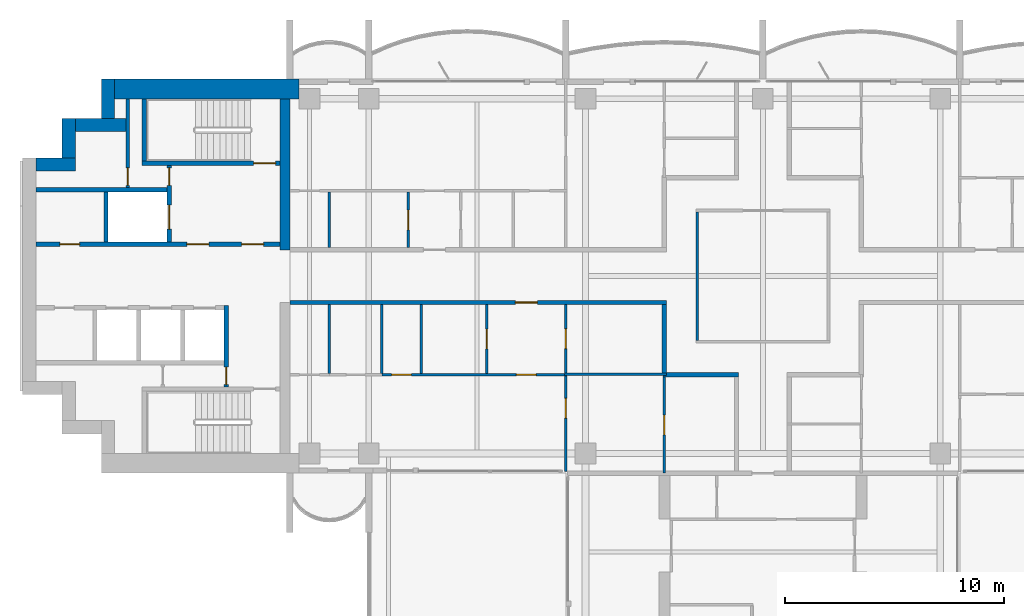
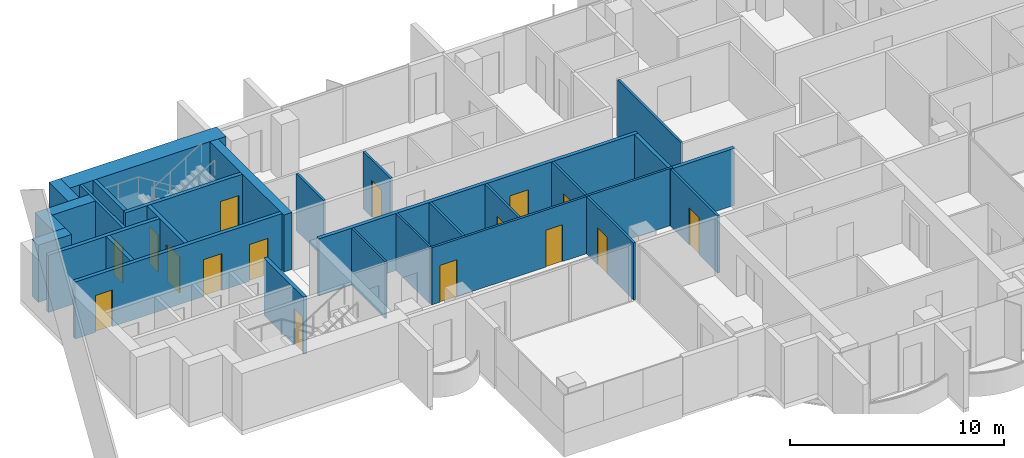
# One storey, part 9 of 18: 29 walls, 16 doors, 16 openings.
"""IFC4 building model written with IfcOpenShell, lengths in metres."""

from ifc_helpers import new_model, si_unit, direction, frame, frame_2d, origin, place, context, subcontext, project, spatial, rectangle, extrude, material, layer, layer_set, type_object, element, fill, save


model = new_model("IFC4")

# Units and contexts
model_context = context("Model", 3, precision=1e-05, world=origin(), true_north=direction((0.0, 1.0)))
body_context = subcontext(model_context, "Body", "Model", "MODEL_VIEW")
ifc_project = project(units=[si_unit("LENGTHUNIT", "METRE"), si_unit("AREAUNIT", "SQUARE_METRE"), si_unit("VOLUMEUNIT", "CUBIC_METRE"), si_unit("PLANEANGLEUNIT", "RADIAN"), si_unit("MASSUNIT", "GRAM", prefix="KILO")], contexts=[model_context])

# Site, building, storey
site_placement = place(None, origin())
site = spatial("IfcSite", under=ifc_project, at=site_placement, CompositionType="ELEMENT")
building_placement = place(site_placement, origin())
building = spatial("IfcBuilding", under=site, at=building_placement, Name="Perihelion Cross Residences", CompositionType="ELEMENT")
storey_placement = place(building_placement, frame((0.0, 0.0, 215.60009765625)))
storey = spatial("IfcBuildingStorey", under=building, at=storey_placement, Name="L54", CompositionType="ELEMENT", Elevation=215.60009765625)

# Wall, opening, door
ifc_material_1 = material(Name="Plasterboard partition")
ifc_layer_1 = layer(ifc_material_1, 0.199951171875)
ifc_layer_set_1 = layer_set([ifc_layer_1], Name="Apartment separation wall 200")
wall_type_1 = type_object("IfcWallType", Name="Apartment separation wall 200", PredefinedType="PARTITIONING", material=ifc_layer_set_1)
wall_1_placement = place(storey_placement, frame((-4.39990234375, -1.199951171875, 0.0), z_axis=(0.0, 0.0, 1.0), x_axis=(-1.0, 0.0, 0.0)))
wall_1 = element("IfcWall", 1, at=wall_1_placement, inside=storey, type_object=wall_type_1, Name="Partition L54 W017", PredefinedType="PARTITIONING", context=body_context, shape_type="SweptSolid", body=[
    extrude(rectangle(XDim=17.2001953125, YDim=0.199951171875, at=frame_2d((8.60009765625, 0.0))), origin(), (0.0, 0.0, 1.0), 3.25),
])
opening_1_placement = place(wall_1_placement, frame((5.89990234375, 0.0, 0.0)))
opening_1 = element("IfcOpeningElement", 2, at=opening_1_placement, cuts=wall_1, Name="Opening L54.A44", PredefinedType="OPENING", context=body_context, shape_type="SweptSolid", body=[
    extrude(rectangle(XDim=1.0, YDim=2.10009765625, at=frame_2d((0.5, 1.050048828125))), frame((0.0, 0.10986328125, 0.0), z_axis=(0.0, -1.0, 0.0), x_axis=(1.0, 0.0, 0.0)), (0.0, 0.0, 1.0), 0.219970703125),
])
ifc_material_2 = material(Name="Timber door leaf", Category="wood")
door_type_1 = type_object("IfcDoorType", Name="Flat entrance door 1000 x 2100", OperationType="SINGLE_SWING_LEFT", PredefinedType="DOOR", material=ifc_material_2)
door_1_placement = place(opening_1_placement, origin())
door_1 = element("IfcDoor", 3, at=door_1_placement, inside=storey, type_object=door_type_1, Name="Door L54.A44", OperationType="SINGLE_SWING_LEFT", OverallHeight=2.10009765625, OverallWidth=1.0, PredefinedType="DOOR", context=body_context, shape_type="SweptSolid", body=[
    extrude(rectangle(XDim=1.0, YDim=2.10009765625, at=frame_2d((0.5, 1.050048828125))), frame((0.0, 0.02490234375, 0.0), z_axis=(0.0, -1.0, 0.0), x_axis=(1.0, 0.0, 0.0)), (0.0, 0.0, 1.0), 0.050048828125),
])
fill(opening_1, door_1)

# Walls
wall_2_placement = place(storey_placement, frame((-4.5, -4.416015625, 0.0), z_axis=(0.0, 0.0, 1.0), x_axis=(0.0, 1.0, 0.0)))
element("IfcWall", 4, at=wall_2_placement, inside=storey, type_object=wall_type_1, Name="Partition L54 W018", PredefinedType="PARTITIONING", context=body_context, shape_type="SweptSolid", body=[
    extrude(rectangle(XDim=3.115966796875, YDim=0.199951171875, at=frame_2d((1.55810546875, 0.0))), origin(), (0.0, 0.0, 1.0), 3.25),
])
wall_3_placement = place(storey_placement, frame((-1.10009765625, -4.5, 0.0), z_axis=(0.0, 0.0, 1.0), x_axis=(-1.0, 0.0, 0.0)))
element("IfcWall", 5, at=wall_3_placement, inside=storey, type_object=wall_type_1, Name="Partition L54 W020", PredefinedType="PARTITIONING", context=body_context, shape_type="SweptSolid", body=[
    extrude(rectangle(XDim=3.4599609375, YDim=0.199951171875, at=frame_2d((1.72998046875, 0.0))), origin(), (0.0, 0.0, 1.0), 3.25),
])
ifc_material_3 = material(Name="Concrete C60/75", Category="concrete")
ifc_layer_2 = layer(ifc_material_3, 0.449951171875)
ifc_layer_set_2 = layer_set([ifc_layer_2], Name="Core wall, inner 450")
wall_type_2 = type_object("IfcWallType", Name="Core wall, inner 450", PredefinedType="SHEAR", material=ifc_layer_set_2)
wall_4_placement = place(storey_placement, frame((-21.824951171875, 1.199951171875, 0.0), z_axis=(0.0, 0.0, 1.0), x_axis=(0.0, 1.0, 0.0)))
element("IfcWall", 6, at=wall_4_placement, inside=storey, type_object=wall_type_2, Name="West core core wall, inner", PredefinedType="SHEAR", context=body_context, shape_type="SweptSolid", body=[
    extrude(rectangle(XDim=6.900146484375, YDim=0.449951171875, at=frame_2d((3.4501953125, 0.0))), origin(), (0.0, 0.0, 1.0), 3.25),
])
ifc_material_4 = material(Name="Concrete C60/75", Category="concrete")
ifc_layer_3 = layer(ifc_material_4, 0.60009765625)
ifc_layer_set_3 = layer_set([ifc_layer_3], Name="Core wall, outer 600")
wall_type_3 = type_object("IfcWallType", Name="Core wall, outer 600", PredefinedType="SHEAR", material=ifc_layer_set_3)
for number, where, z_axis, x_axis, name in (
    (7, (-33.199951171875, 5.10009765625, 0.0), (0.0, 0.0, 1.0), (1.0, 0.0, 0.0), "West core core wall, outer"),
    (8, (-31.699951171875, 5.39990234375, 0.0), (0.0, 0.0, 1.0), (0.0, 1.0, 0.0), "West core core wall, outer"),
):
    element("IfcWall", number, at=place(storey_placement, frame(where, z_axis=z_axis, x_axis=x_axis)), inside=storey, type_object=wall_type_3, Name=name, PredefinedType="SHEAR", context=body_context, shape_type="SweptSolid", body=[
        extrude(rectangle(XDim=1.800048828125, YDim=0.60009765625, at=frame_2d((0.89990234375, 0.0))), origin(), (0.0, 0.0, 1.0), 3.25),
    ])
wall_5_placement = place(storey_placement, frame((-31.39990234375, 6.89990234375, 0.0), z_axis=(0.0, 0.0, 1.0), x_axis=(1.0, 0.0, 0.0)))
element("IfcWall", 9, at=wall_5_placement, inside=storey, type_object=wall_type_3, Name="West core core wall, outer", PredefinedType="SHEAR", context=body_context, shape_type="SweptSolid", body=[
    extrude(rectangle(XDim=2.324951171875, YDim=0.60009765625, at=frame_2d((1.16259765625, 0.0))), origin(), (0.0, 0.0, 1.0), 3.25),
])
wall_6_placement = place(storey_placement, frame((-29.89990234375, 7.199951171875, 0.0), z_axis=(0.0, 0.0, 1.0), x_axis=(0.0, 1.0, 0.0)))
element("IfcWall", 10, at=wall_6_placement, inside=storey, type_object=wall_type_3, Name="West core core wall, outer", PredefinedType="SHEAR", context=body_context, shape_type="SweptSolid", body=[
    extrude(rectangle(XDim=1.800048828125, YDim=0.60009765625, at=frame_2d((0.89990234375, 0.0))), origin(), (0.0, 0.0, 1.0), 3.25),
])
ifc_material_5 = material(Name="Concrete C60/75", Category="concrete")
ifc_layer_4 = layer(ifc_material_5, 0.89990234375)
ifc_layer_set_4 = layer_set([ifc_layer_4], Name="Core wall, outer 900")
wall_type_4 = type_object("IfcWallType", Name="Core wall, outer 900", PredefinedType="SHEAR", material=ifc_layer_set_4)
wall_7_placement = place(storey_placement, frame((-29.60009765625, 8.550048828125, 0.0), z_axis=(0.0, 0.0, 1.0), x_axis=(1.0, 0.0, 0.0)))
element("IfcWall", 11, at=wall_7_placement, inside=storey, type_object=wall_type_4, Name="West core core wall, outer", PredefinedType="SHEAR", context=body_context, shape_type="SweptSolid", body=[
    extrude(rectangle(XDim=8.425048828125, YDim=0.89990234375, at=frame_2d((4.21240234375, 0.0))), origin(), (0.0, 0.0, 1.0), 3.25),
])

# Wall, opening, door
ifc_material_6 = material(Name="Concrete C50/60", Category="concrete")
ifc_layer_5 = layer(ifc_material_6, 0.199951171875)
ifc_layer_set_5 = layer_set([ifc_layer_5], Name="Lobby wall 200")
wall_type_5 = type_object("IfcWallType", Name="Lobby wall 200", PredefinedType="SOLIDWALL", material=ifc_layer_set_5)
wall_8_placement = place(storey_placement, frame((-24.5, -5.050048828125, 0.0), z_axis=(0.0, 0.0, 1.0), x_axis=(0.0, 1.0, 0.0)))
wall_8 = element("IfcWall", 12, at=wall_8_placement, inside=storey, type_object=wall_type_5, Name="West core lobby wall", PredefinedType="SOLIDWALL", context=body_context, shape_type="SweptSolid", body=[
    extrude(rectangle(XDim=3.699951171875, YDim=0.199951171875, at=frame_2d((1.85009765625, 0.0))), origin(), (0.0, 0.0, 1.0), 3.25),
])
opening_2_placement = place(wall_8_placement, frame((0.10009765625, 0.0, 0.0)))
opening_2 = element("IfcOpeningElement", 13, at=opening_2_placement, cuts=wall_8, Name="Opening L54.C22", PredefinedType="OPENING", context=body_context, shape_type="SweptSolid", body=[
    extrude(rectangle(XDim=0.800048828125, YDim=2.10009765625, at=frame_2d((0.39990234375, 1.050048828125))), frame((0.0, 0.10986328125, 0.0), z_axis=(0.0, -1.0, 0.0), x_axis=(1.0, 0.0, 0.0)), (0.0, 0.0, 1.0), 0.219970703125),
])
ifc_material_7 = material(Name="Steel, powder coated", Category="steel")
door_type_2 = type_object("IfcDoorType", Name="Riser door 800", OperationType="SINGLE_SWING_LEFT", PredefinedType="DOOR", material=ifc_material_7)
door_2_placement = place(opening_2_placement, origin())
door_2 = element("IfcDoor", 14, at=door_2_placement, inside=storey, type_object=door_type_2, Name="West core riser door", OperationType="SINGLE_SWING_LEFT", OverallHeight=2.10009765625, OverallWidth=0.800048828125, PredefinedType="DOOR", context=body_context, shape_type="SweptSolid", body=[
    extrude(rectangle(XDim=0.800048828125, YDim=2.10009765625, at=frame_2d((0.39990234375, 1.050048828125))), frame((0.0, 0.02490234375, 0.0), z_axis=(0.0, -1.0, 0.0), x_axis=(1.0, 0.0, 0.0)), (0.0, 0.0, 1.0), 0.050048828125),
])
fill(opening_2, door_2)

# Wall
ifc_material_8 = material(Name="Plasterboard partition")
ifc_layer_6 = layer(ifc_material_8, 0.1201171875)
ifc_layer_set_6 = layer_set([ifc_layer_6], Name="Partition wall 120")
wall_type_6 = type_object("IfcWallType", Name="Partition wall 120", PredefinedType="PARTITIONING", material=ifc_layer_set_6)
wall_9_placement = place(storey_placement, frame((-3.0, 2.93994140625, 0.0), z_axis=(0.0, 0.0, 1.0), x_axis=(0.0, -1.0, 0.0)))
element("IfcWall", 15, at=wall_9_placement, inside=storey, type_object=wall_type_6, Name="Partition L54 W004", PredefinedType="PARTITIONING", context=body_context, shape_type="SweptSolid", body=[
    extrude(rectangle(XDim=5.8798828125, YDim=0.1201171875, at=frame_2d((2.93994140625, 0.0))), origin(), (0.0, 0.0, 1.0), 3.25),
])

# Wall, opening, door
wall_10_placement = place(storey_placement, frame((-16.199951171875, 1.300048828125, 0.0), z_axis=(0.0, 0.0, 1.0), x_axis=(0.0, 1.0, 0.0)))
wall_10 = element("IfcWall", 16, at=wall_10_placement, inside=storey, type_object=wall_type_6, Name="Partition L54 W052", PredefinedType="PARTITIONING", context=body_context, shape_type="SweptSolid", body=[
    extrude(rectangle(XDim=2.5400390625, YDim=0.1201171875, at=frame_2d((1.27001953125, 0.0))), origin(), (0.0, 0.0, 1.0), 3.25),
])
opening_3_placement = place(wall_10_placement, frame((0.820068359375, 0.0, 0.0)))
opening_3 = element("IfcOpeningElement", 17, at=opening_3_placement, cuts=wall_10, Name="Opening L54.A20", PredefinedType="OPENING", context=body_context, shape_type="SweptSolid", body=[
    extrude(rectangle(XDim=0.89990234375, YDim=2.10009765625, at=frame_2d((0.449951171875, 1.050048828125))), frame((0.0, 0.070068359375, 0.0), z_axis=(0.0, -1.0, 0.0), x_axis=(1.0, 0.0, 0.0)), (0.0, 0.0, 1.0), 0.14013671875),
])
ifc_material_9 = material(Name="Timber door leaf", Category="wood")
door_type_3 = type_object("IfcDoorType", Name="Interior room door 900 x 2100", OperationType="SINGLE_SWING_LEFT", PredefinedType="DOOR", material=ifc_material_9)
door_3_placement = place(opening_3_placement, origin())
door_3 = element("IfcDoor", 18, at=door_3_placement, inside=storey, type_object=door_type_3, Name="Door L54.A20", OperationType="SINGLE_SWING_LEFT", OverallHeight=2.10009765625, OverallWidth=0.89990234375, PredefinedType="DOOR", context=body_context, shape_type="SweptSolid", body=[
    extrude(rectangle(XDim=0.89990234375, YDim=2.10009765625, at=frame_2d((0.449951171875, 1.050048828125))), frame((0.0, 0.02490234375, 0.0), z_axis=(0.0, -1.0, 0.0), x_axis=(1.0, 0.0, 0.0)), (0.0, 0.0, 1.0), 0.050048828125),
])
fill(opening_3, door_3)

# Wall
wall_11_placement = place(storey_placement, frame((-19.800048828125, 1.300048828125, 0.0), z_axis=(0.0, 0.0, 1.0), x_axis=(0.0, 1.0, 0.0)))
element("IfcWall", 19, at=wall_11_placement, inside=storey, type_object=wall_type_6, Name="Partition L54 W054", PredefinedType="PARTITIONING", context=body_context, shape_type="SweptSolid", body=[
    extrude(rectangle(XDim=2.5400390625, YDim=0.1201171875, at=frame_2d((1.27001953125, 0.0))), origin(), (0.0, 0.0, 1.0), 3.25),
])

# Wall, opening, door
wall_12_placement = place(storey_placement, frame((-12.60009765625, -4.43994140625, 0.0), z_axis=(0.0, 0.0, 1.0), x_axis=(0.0, 1.0, 0.0)))
wall_12 = element("IfcWall", 20, at=wall_12_placement, inside=storey, type_object=wall_type_6, Name="Partition L54 W058", PredefinedType="PARTITIONING", context=body_context, shape_type="SweptSolid", body=[
    extrude(rectangle(XDim=3.139892578125, YDim=0.1201171875, at=frame_2d((1.56982421875, 0.0))), origin(), (0.0, 0.0, 1.0), 3.25),
])
opening_4_placement = place(wall_12_placement, frame((1.1201171875, 0.0, 0.0)))
opening_4 = element("IfcOpeningElement", 21, at=opening_4_placement, cuts=wall_12, Name="Opening L54.A29", PredefinedType="OPENING", context=body_context, shape_type="SweptSolid", body=[
    extrude(rectangle(XDim=0.89990234375, YDim=2.10009765625, at=frame_2d((0.449951171875, 1.050048828125))), frame((0.0, 0.070068359375, 0.0), z_axis=(0.0, -1.0, 0.0), x_axis=(1.0, 0.0, 0.0)), (0.0, 0.0, 1.0), 0.14013671875),
])
door_4_placement = place(opening_4_placement, origin())
door_4 = element("IfcDoor", 22, at=door_4_placement, inside=storey, type_object=door_type_3, Name="Door L54.A29", OperationType="SINGLE_SWING_LEFT", OverallHeight=2.10009765625, OverallWidth=0.89990234375, PredefinedType="DOOR", context=body_context, shape_type="SweptSolid", body=[
    extrude(rectangle(XDim=0.89990234375, YDim=2.10009765625, at=frame_2d((0.449951171875, 1.050048828125))), frame((0.0, 0.02490234375, 0.0), z_axis=(0.0, -1.0, 0.0), x_axis=(1.0, 0.0, 0.0)), (0.0, 0.0, 1.0), 0.050048828125),
])
fill(opening_4, door_4)

# Wall, openings, doors
wall_13_placement = place(storey_placement, frame((-8.93994140625, -4.5, 0.0), z_axis=(0.0, 0.0, 1.0), x_axis=(-1.0, 0.0, 0.0)))
wall_13 = element("IfcWall", 23, at=wall_13_placement, inside=storey, type_object=wall_type_6, Name="Partition L54 W059", PredefinedType="PARTITIONING", context=body_context, shape_type="SweptSolid", body=[
    extrude(rectangle(XDim=8.4599609375, YDim=0.1201171875, at=frame_2d((4.22998046875, 0.0))), origin(), (0.0, 0.0, 1.0), 3.25),
])
opening_5_placement = place(wall_13_placement, frame((7.110107421875, 0.0, 0.0)))
opening_5 = element("IfcOpeningElement", 24, at=opening_5_placement, cuts=wall_13, Name="Opening L54.A31", PredefinedType="OPENING", context=body_context, shape_type="SweptSolid", body=[
    extrude(rectangle(XDim=0.89990234375, YDim=2.10009765625, at=frame_2d((0.449951171875, 1.050048828125))), frame((0.0, 0.070068359375, 0.0), z_axis=(0.0, -1.0, 0.0), x_axis=(1.0, 0.0, 0.0)), (0.0, 0.0, 1.0), 0.14013671875),
])
opening_6_placement = place(wall_13_placement, frame((1.409912109375, 0.0, 0.0)))
opening_6 = element("IfcOpeningElement", 25, at=opening_6_placement, cuts=wall_13, Name="Opening L54.A34", PredefinedType="OPENING", context=body_context, shape_type="SweptSolid", body=[
    extrude(rectangle(XDim=0.89990234375, YDim=2.10009765625, at=frame_2d((0.449951171875, 1.050048828125))), frame((0.0, 0.070068359375, 0.0), z_axis=(0.0, -1.0, 0.0), x_axis=(1.0, 0.0, 0.0)), (0.0, 0.0, 1.0), 0.14013671875),
])
door_5_placement = place(opening_5_placement, origin())
door_5 = element("IfcDoor", 26, at=door_5_placement, inside=storey, type_object=door_type_3, Name="Door L54.A31", OperationType="SINGLE_SWING_LEFT", OverallHeight=2.10009765625, OverallWidth=0.89990234375, PredefinedType="DOOR", context=body_context, shape_type="SweptSolid", body=[
    extrude(rectangle(XDim=0.89990234375, YDim=2.10009765625, at=frame_2d((0.449951171875, 1.050048828125))), frame((0.0, 0.02490234375, 0.0), z_axis=(0.0, -1.0, 0.0), x_axis=(1.0, 0.0, 0.0)), (0.0, 0.0, 1.0), 0.050048828125),
])
fill(opening_5, door_5)
door_6_placement = place(opening_6_placement, origin())
door_6 = element("IfcDoor", 27, at=door_6_placement, inside=storey, type_object=door_type_3, Name="Door L54.A34", OperationType="SINGLE_SWING_RIGHT", OverallHeight=2.10009765625, OverallWidth=0.89990234375, PredefinedType="DOOR", context=body_context, shape_type="SweptSolid", body=[
    extrude(rectangle(XDim=0.89990234375, YDim=2.10009765625, at=frame_2d((0.449951171875, 1.050048828125))), frame((0.0, 0.02490234375, 0.0), z_axis=(0.0, -1.0, 0.0), x_axis=(1.0, 0.0, 0.0)), (0.0, 0.0, 1.0), 0.050048828125),
])
fill(opening_6, door_6)

# Wall, opening, door
wall_14_placement = place(storey_placement, frame((-9.0, -1.300048828125, 0.0), z_axis=(0.0, 0.0, 1.0), x_axis=(0.0, -1.0, 0.0)))
wall_14 = element("IfcWall", 28, at=wall_14_placement, inside=storey, type_object=wall_type_6, Name="Partition L54 W060", PredefinedType="PARTITIONING", context=body_context, shape_type="SweptSolid", body=[
    extrude(rectangle(XDim=3.115966796875, YDim=0.1201171875, at=frame_2d((1.55810546875, 0.0))), origin(), (0.0, 0.0, 1.0), 3.25),
])
opening_7_placement = place(wall_14_placement, frame((1.10791015625, 0.0, 0.0)))
opening_7 = element("IfcOpeningElement", 29, at=opening_7_placement, cuts=wall_14, Name="Opening L54.A30", PredefinedType="OPENING", context=body_context, shape_type="SweptSolid", body=[
    extrude(rectangle(XDim=0.89990234375, YDim=2.10009765625, at=frame_2d((0.449951171875, 1.050048828125))), frame((0.0, 0.070068359375, 0.0), z_axis=(0.0, -1.0, 0.0), x_axis=(1.0, 0.0, 0.0)), (0.0, 0.0, 1.0), 0.14013671875),
])
door_7_placement = place(opening_7_placement, origin())
door_7 = element("IfcDoor", 30, at=door_7_placement, inside=storey, type_object=door_type_3, Name="Door L54.A30", OperationType="SINGLE_SWING_RIGHT", OverallHeight=2.10009765625, OverallWidth=0.89990234375, PredefinedType="DOOR", context=body_context, shape_type="SweptSolid", body=[
    extrude(rectangle(XDim=0.89990234375, YDim=2.10009765625, at=frame_2d((0.449951171875, 1.050048828125))), frame((0.0, 0.02490234375, 0.0), z_axis=(0.0, -1.0, 0.0), x_axis=(1.0, 0.0, 0.0)), (0.0, 0.0, 1.0), 0.050048828125),
])
fill(opening_7, door_7)

# Wall
wall_15_placement = place(storey_placement, frame((-15.60009765625, -4.43994140625, 0.0), z_axis=(0.0, 0.0, 1.0), x_axis=(0.0, 1.0, 0.0)))
element("IfcWall", 31, at=wall_15_placement, inside=storey, type_object=wall_type_6, Name="Partition L54 W061", PredefinedType="PARTITIONING", context=body_context, shape_type="SweptSolid", body=[
    extrude(rectangle(XDim=3.139892578125, YDim=0.1201171875, at=frame_2d((1.56982421875, 0.0))), origin(), (0.0, 0.0, 1.0), 3.25),
])

# Wall, opening, door
wall_16_placement = place(storey_placement, frame((-9.0, -4.56005859375, 0.0), z_axis=(0.0, 0.0, 1.0), x_axis=(0.0, -1.0, 0.0)))
wall_16 = element("IfcWall", 32, at=wall_16_placement, inside=storey, type_object=wall_type_6, Name="Partition L54 W066", PredefinedType="PARTITIONING", context=body_context, shape_type="SweptSolid", body=[
    extrude(rectangle(XDim=4.35986328125, YDim=0.1201171875, at=frame_2d((2.179931640625, 0.0))), origin(), (0.0, 0.0, 1.0), 3.25),
])
opening_8_placement = place(wall_16_placement, frame((1.02001953125, 0.0, 0.0)))
opening_8 = element("IfcOpeningElement", 33, at=opening_8_placement, cuts=wall_16, Name="Opening L54.A33", PredefinedType="OPENING", context=body_context, shape_type="SweptSolid", body=[
    extrude(rectangle(XDim=0.89990234375, YDim=2.10009765625, at=frame_2d((0.449951171875, 1.050048828125))), frame((0.0, 0.070068359375, 0.0), z_axis=(0.0, -1.0, 0.0), x_axis=(1.0, 0.0, 0.0)), (0.0, 0.0, 1.0), 0.14013671875),
])
door_8_placement = place(opening_8_placement, origin())
door_8 = element("IfcDoor", 34, at=door_8_placement, inside=storey, type_object=door_type_3, Name="Door L54.A33", OperationType="SINGLE_SWING_RIGHT", OverallHeight=2.10009765625, OverallWidth=0.89990234375, PredefinedType="DOOR", context=body_context, shape_type="SweptSolid", body=[
    extrude(rectangle(XDim=0.89990234375, YDim=2.10009765625, at=frame_2d((0.449951171875, 1.050048828125))), frame((0.0, 0.02490234375, 0.0), z_axis=(0.0, -1.0, 0.0), x_axis=(1.0, 0.0, 0.0)), (0.0, 0.0, 1.0), 0.050048828125),
])
fill(opening_8, door_8)

# Wall
wall_17_placement = place(storey_placement, frame((-4.39990234375, -4.47607421875, 0.0), z_axis=(0.0, 0.0, 1.0), x_axis=(-1.0, 0.0, 0.0)))
element("IfcWall", 35, at=wall_17_placement, inside=storey, type_object=wall_type_6, Name="Partition L54 W067", PredefinedType="PARTITIONING", context=body_context, shape_type="SweptSolid", body=[
    extrude(rectangle(XDim=4.66015625, YDim=0.1201171875, at=frame_2d((2.330078125, 0.0))), origin(), (0.0, 0.0, 1.0), 3.25),
])

# Wall, opening, door
wall_18_placement = place(storey_placement, frame((-4.5, -4.60009765625, 0.0), z_axis=(0.0, 0.0, 1.0), x_axis=(0.0, -1.0, 0.0)))
wall_18 = element("IfcWall", 36, at=wall_18_placement, inside=storey, type_object=wall_type_6, Name="Partition L54 W068", PredefinedType="PARTITIONING", context=body_context, shape_type="SweptSolid", body=[
    extrude(rectangle(XDim=4.39990234375, YDim=0.1201171875, at=frame_2d((2.199951171875, 0.0))), origin(), (0.0, 0.0, 1.0), 3.25),
])
opening_9_placement = place(wall_18_placement, frame((1.75, 0.0, 0.0)))
opening_9 = element("IfcOpeningElement", 37, at=opening_9_placement, cuts=wall_18, Name="Opening L54.A32", PredefinedType="OPENING", context=body_context, shape_type="SweptSolid", body=[
    extrude(rectangle(XDim=0.89990234375, YDim=2.10009765625, at=frame_2d((0.449951171875, 1.050048828125))), frame((0.0, 0.070068359375, 0.0), z_axis=(0.0, -1.0, 0.0), x_axis=(1.0, 0.0, 0.0)), (0.0, 0.0, 1.0), 0.14013671875),
])
door_9_placement = place(opening_9_placement, origin())
door_9 = element("IfcDoor", 38, at=door_9_placement, inside=storey, type_object=door_type_3, Name="Door L54.A32", OperationType="SINGLE_SWING_RIGHT", OverallHeight=2.10009765625, OverallWidth=0.89990234375, PredefinedType="DOOR", context=body_context, shape_type="SweptSolid", body=[
    extrude(rectangle(XDim=0.89990234375, YDim=2.10009765625, at=frame_2d((0.449951171875, 1.050048828125))), frame((0.0, 0.02490234375, 0.0), z_axis=(0.0, -1.0, 0.0), x_axis=(1.0, 0.0, 0.0)), (0.0, 0.0, 1.0), 0.050048828125),
])
fill(opening_9, door_9)

ifc_material_10 = material(Name="Fire-rated board on steel stud", Category="steel")
ifc_layer_7 = layer(ifc_material_10, 0.14990234375)
ifc_layer_set_7 = layer_set([ifc_layer_7], Name="Riser wall 150")
wall_type_7 = type_object("IfcWallType", Name="Riser wall 150", PredefinedType="PARTITIONING", material=ifc_layer_set_7)
wall_19_placement = place(storey_placement, frame((-29.0, 4.050048828125, 0.0), z_axis=(0.0, 0.0, 1.0), x_axis=(0.0, 1.0, 0.0)))
wall_19 = element("IfcWall", 39, at=wall_19_placement, inside=storey, type_object=wall_type_7, Name="West core riser wall", PredefinedType="PARTITIONING", context=body_context, shape_type="SweptSolid", body=[
    extrude(rectangle(XDim=4.050048828125, YDim=0.14990234375, at=frame_2d((2.02490234375, 0.0))), origin(), (0.0, 0.0, 1.0), 3.25),
])
opening_10_placement = place(wall_19_placement, frame((0.10009765625, 0.0, 0.0)))
opening_10 = element("IfcOpeningElement", 40, at=opening_10_placement, cuts=wall_19, Name="Opening L54.C26", PredefinedType="OPENING", context=body_context, shape_type="SweptSolid", body=[
    extrude(rectangle(XDim=0.800048828125, YDim=2.10009765625, at=frame_2d((0.39990234375, 1.050048828125))), frame((0.0, 0.0849609375, 0.0), z_axis=(0.0, -1.0, 0.0), x_axis=(1.0, 0.0, 0.0)), (0.0, 0.0, 1.0), 0.169921875),
])
door_10_placement = place(opening_10_placement, origin())
door_10 = element("IfcDoor", 41, at=door_10_placement, inside=storey, type_object=door_type_2, Name="West core riser door", OperationType="SINGLE_SWING_LEFT", OverallHeight=2.10009765625, OverallWidth=0.800048828125, PredefinedType="DOOR", context=body_context, shape_type="SweptSolid", body=[
    extrude(rectangle(XDim=0.800048828125, YDim=2.10009765625, at=frame_2d((0.39990234375, 1.050048828125))), frame((0.0, 0.02490234375, 0.0), z_axis=(0.0, -1.0, 0.0), x_axis=(1.0, 0.0, 0.0)), (0.0, 0.0, 1.0), 0.050048828125),
])
fill(opening_10, door_10)

# Wall, openings, doors
ifc_material_11 = material(Name="Concrete C50/60", Category="concrete")
ifc_layer_8 = layer(ifc_material_11, 0.199951171875)
ifc_layer_set_8 = layer_set([ifc_layer_8], Name="Shaft wall 200")
wall_type_8 = type_object("IfcWallType", Name="Shaft wall 200", PredefinedType="SOLIDWALL", material=ifc_layer_set_8)
wall_20_placement = place(storey_placement, frame((-33.199951171875, 1.449951171875, 0.0), z_axis=(0.0, 0.0, 1.0), x_axis=(1.0, 0.0, 0.0)))
wall_20 = element("IfcWall", 42, at=wall_20_placement, inside=storey, type_object=wall_type_8, Name="West core shaft wall", PredefinedType="SOLIDWALL", context=body_context, shape_type="SweptSolid", body=[
    extrude(rectangle(XDim=11.14990234375, YDim=0.199951171875, at=frame_2d((5.574951171875, 0.0))), origin(), (0.0, 0.0, 1.0), 3.25),
])
opening_11_placement = place(wall_20_placement, frame((9.39990234375, 0.0, 0.0)))
opening_11 = element("IfcOpeningElement", 43, at=opening_11_placement, cuts=wall_20, Name="Opening L54.C21", PredefinedType="OPENING", context=body_context, shape_type="SweptSolid", body=[
    extrude(rectangle(XDim=1.0, YDim=2.10009765625, at=frame_2d((0.5, 1.050048828125))), frame((0.0, 0.10986328125, 0.0), z_axis=(0.0, -1.0, 0.0), x_axis=(1.0, 0.0, 0.0)), (0.0, 0.0, 1.0), 0.219970703125),
])
opening_12_placement = place(wall_20_placement, frame((6.89990234375, 0.0, 0.0)))
opening_12 = element("IfcOpeningElement", 44, at=opening_12_placement, cuts=wall_20, Name="Opening L54.C23", PredefinedType="OPENING", context=body_context, shape_type="SweptSolid", body=[
    extrude(rectangle(XDim=1.0, YDim=2.10009765625, at=frame_2d((0.5, 1.050048828125))), frame((0.0, 0.10986328125, 0.0), z_axis=(0.0, -1.0, 0.0), x_axis=(1.0, 0.0, 0.0)), (0.0, 0.0, 1.0), 0.219970703125),
])
opening_13_placement = place(wall_20_placement, frame((1.10009765625, 0.0, 0.0)))
opening_13 = element("IfcOpeningElement", 45, at=opening_13_placement, cuts=wall_20, Name="Opening L54.C27", PredefinedType="OPENING", context=body_context, shape_type="SweptSolid", body=[
    extrude(rectangle(XDim=0.89990234375, YDim=2.10009765625, at=frame_2d((0.449951171875, 1.050048828125))), frame((0.0, 0.10986328125, 0.0), z_axis=(0.0, -1.0, 0.0), x_axis=(1.0, 0.0, 0.0)), (0.0, 0.0, 1.0), 0.219970703125),
])
ifc_material_12 = material(Name="Steel, powder coated", Category="steel")
door_type_4 = type_object("IfcDoorType", Name="Lobby door 1000", OperationType="SINGLE_SWING_LEFT", PredefinedType="DOOR", material=ifc_material_12)
door_11_placement = place(opening_11_placement, origin())
door_11 = element("IfcDoor", 46, at=door_11_placement, inside=storey, type_object=door_type_4, Name="West core firefighting lobby door", OperationType="SINGLE_SWING_LEFT", OverallHeight=2.10009765625, OverallWidth=1.0, PredefinedType="DOOR", context=body_context, shape_type="SweptSolid", body=[
    extrude(rectangle(XDim=1.0, YDim=2.10009765625, at=frame_2d((0.5, 1.050048828125))), frame((0.0, 0.02490234375, 0.0), z_axis=(0.0, -1.0, 0.0), x_axis=(1.0, 0.0, 0.0)), (0.0, 0.0, 1.0), 0.050048828125),
])
fill(opening_11, door_11)
door_12_placement = place(opening_12_placement, origin())
door_12 = element("IfcDoor", 47, at=door_12_placement, inside=storey, type_object=door_type_4, Name="West core firefighting lobby door", OperationType="SINGLE_SWING_LEFT", OverallHeight=2.10009765625, OverallWidth=1.0, PredefinedType="DOOR", context=body_context, shape_type="SweptSolid", body=[
    extrude(rectangle(XDim=1.0, YDim=2.10009765625, at=frame_2d((0.5, 1.050048828125))), frame((0.0, 0.02490234375, 0.0), z_axis=(0.0, -1.0, 0.0), x_axis=(1.0, 0.0, 0.0)), (0.0, 0.0, 1.0), 0.050048828125),
])
fill(opening_12, door_12)
ifc_material_13 = material(Name="Steel, powder coated", Category="steel")
door_type_5 = type_object("IfcDoorType", Name="Service room door 900", OperationType="SINGLE_SWING_LEFT", PredefinedType="DOOR", material=ifc_material_13)
door_13_placement = place(opening_13_placement, origin())
door_13 = element("IfcDoor", 48, at=door_13_placement, inside=storey, type_object=door_type_5, Name="West core service room door", OperationType="SINGLE_SWING_LEFT", OverallHeight=2.10009765625, OverallWidth=0.89990234375, PredefinedType="DOOR", context=body_context, shape_type="SweptSolid", body=[
    extrude(rectangle(XDim=0.89990234375, YDim=2.10009765625, at=frame_2d((0.449951171875, 1.050048828125))), frame((0.0, 0.02490234375, 0.0), z_axis=(0.0, -1.0, 0.0), x_axis=(1.0, 0.0, 0.0)), (0.0, 0.0, 1.0), 0.050048828125),
])
fill(opening_13, door_13)

# Wall
wall_21_placement = place(storey_placement, frame((-33.199951171875, 3.949951171875, 0.0), z_axis=(0.0, 0.0, 1.0), x_axis=(1.0, 0.0, 0.0)))
element("IfcWall", 49, at=wall_21_placement, inside=storey, type_object=wall_type_8, Name="West core shaft wall", PredefinedType="SOLIDWALL", context=body_context, shape_type="SweptSolid", body=[
    extrude(rectangle(XDim=6.0, YDim=0.199951171875, at=frame_2d((3.0, 0.0))), origin(), (0.0, 0.0, 1.0), 3.25),
])

# Wall, openings, doors
wall_22_placement = place(storey_placement, frame((-27.10009765625, 1.550048828125, 0.0), z_axis=(0.0, 0.0, 1.0), x_axis=(0.0, 1.0, 0.0)))
wall_22 = element("IfcWall", 50, at=wall_22_placement, inside=storey, type_object=wall_type_8, Name="West core shaft wall", PredefinedType="SOLIDWALL", context=body_context, shape_type="SweptSolid", body=[
    extrude(rectangle(XDim=3.5, YDim=0.199951171875, at=frame_2d((1.75, 0.0))), origin(), (0.0, 0.0, 1.0), 3.25),
])
opening_14_placement = place(wall_22_placement, frame((0.60009765625, 0.0, 0.0)))
opening_14 = element("IfcOpeningElement", 51, at=opening_14_placement, cuts=wall_22, Name="Opening L54.C16", PredefinedType="OPENING", context=body_context, shape_type="SweptSolid", body=[
    extrude(rectangle(XDim=1.10009765625, YDim=2.10009765625, at=frame_2d((0.550048828125, 1.050048828125))), frame((0.0, 0.10986328125, 0.0), z_axis=(0.0, -1.0, 0.0), x_axis=(1.0, 0.0, 0.0)), (0.0, 0.0, 1.0), 0.219970703125),
])
opening_15_placement = place(wall_22_placement, frame((2.60009765625, 0.0, 0.0)))
opening_15 = element("IfcOpeningElement", 52, at=opening_15_placement, cuts=wall_22, Name="Opening L54.C24", PredefinedType="OPENING", context=body_context, shape_type="SweptSolid", body=[
    extrude(rectangle(XDim=0.800048828125, YDim=2.10009765625, at=frame_2d((0.39990234375, 1.050048828125))), frame((0.0, 0.10986328125, 0.0), z_axis=(0.0, -1.0, 0.0), x_axis=(1.0, 0.0, 0.0)), (0.0, 0.0, 1.0), 0.219970703125),
])
ifc_material_14 = material(Name="Stainless steel", Category="steel")
door_type_6 = type_object("IfcDoorType", Name="Landing door, firefighting lift 1100", OperationType="DOUBLE_DOOR_SLIDING", PredefinedType="DOOR", material=ifc_material_14)
door_14_placement = place(opening_14_placement, origin())
door_14 = element("IfcDoor", 53, at=door_14_placement, inside=storey, type_object=door_type_6, Name="Landing door, West core firefighting and service lift", OperationType="DOUBLE_DOOR_SLIDING", OverallHeight=2.10009765625, OverallWidth=1.10009765625, PredefinedType="DOOR", context=body_context, shape_type="SweptSolid", body=[
    extrude(rectangle(XDim=1.10009765625, YDim=2.10009765625, at=frame_2d((0.550048828125, 1.050048828125))), frame((0.0, 0.02490234375, 0.0), z_axis=(0.0, -1.0, 0.0), x_axis=(1.0, 0.0, 0.0)), (0.0, 0.0, 1.0), 0.050048828125),
])
fill(opening_14, door_14)
door_15_placement = place(opening_15_placement, origin())
door_15 = element("IfcDoor", 54, at=door_15_placement, inside=storey, type_object=door_type_2, Name="West core riser door", OperationType="SINGLE_SWING_LEFT", OverallHeight=2.10009765625, OverallWidth=0.800048828125, PredefinedType="DOOR", context=body_context, shape_type="SweptSolid", body=[
    extrude(rectangle(XDim=0.800048828125, YDim=2.10009765625, at=frame_2d((0.39990234375, 1.050048828125))), frame((0.0, 0.02490234375, 0.0), z_axis=(0.0, -1.0, 0.0), x_axis=(1.0, 0.0, 0.0)), (0.0, 0.0, 1.0), 0.050048828125),
])
fill(opening_15, door_15)

# Wall
wall_23_placement = place(storey_placement, frame((-30.0, 1.550048828125, 0.0), z_axis=(0.0, 0.0, 1.0), x_axis=(0.0, 1.0, 0.0)))
element("IfcWall", 55, at=wall_23_placement, inside=storey, type_object=wall_type_8, Name="West core shaft wall", PredefinedType="SOLIDWALL", context=body_context, shape_type="SweptSolid", body=[
    extrude(rectangle(XDim=2.300048828125, YDim=0.199951171875, at=frame_2d((1.14990234375, 0.0))), origin(), (0.0, 0.0, 1.0), 3.25),
])

# Wall, opening, door
ifc_material_15 = material(Name="Concrete C50/60", Category="concrete")
ifc_layer_9 = layer(ifc_material_15, 0.199951171875)
ifc_layer_set_9 = layer_set([ifc_layer_9], Name="Stair wall 200")
wall_type_9 = type_object("IfcWallType", Name="Stair wall 200", PredefinedType="SOLIDWALL", material=ifc_layer_set_9)
wall_24_placement = place(storey_placement, frame((-28.35009765625, 5.14990234375, 0.0), z_axis=(0.0, 0.0, 1.0), x_axis=(1.0, 0.0, 0.0)))
wall_24 = element("IfcWall", 56, at=wall_24_placement, inside=storey, type_object=wall_type_9, Name="West core stair wall", PredefinedType="SOLIDWALL", context=body_context, shape_type="SweptSolid", body=[
    extrude(rectangle(XDim=6.300048828125, YDim=0.199951171875, at=frame_2d((3.14990234375, 0.0))), origin(), (0.0, 0.0, 1.0), 3.25),
])
opening_16_placement = place(wall_24_placement, frame((5.10009765625, 0.0, 0.0)))
opening_16 = element("IfcOpeningElement", 57, at=opening_16_placement, cuts=wall_24, Name="Opening L54.C20", PredefinedType="OPENING", context=body_context, shape_type="SweptSolid", body=[
    extrude(rectangle(XDim=1.0, YDim=2.10009765625, at=frame_2d((0.5, 1.050048828125))), frame((0.0, 0.10986328125, 0.0), z_axis=(0.0, -1.0, 0.0), x_axis=(1.0, 0.0, 0.0)), (0.0, 0.0, 1.0), 0.219970703125),
])
ifc_material_16 = material(Name="Steel, powder coated", Category="steel")
door_type_7 = type_object("IfcDoorType", Name="Stair door 1000", OperationType="SINGLE_SWING_LEFT", PredefinedType="DOOR", material=ifc_material_16)
door_16_placement = place(opening_16_placement, origin())
door_16 = element("IfcDoor", 58, at=door_16_placement, inside=storey, type_object=door_type_7, Name="West core stair door", OperationType="SINGLE_SWING_LEFT", OverallHeight=2.10009765625, OverallWidth=1.0, PredefinedType="DOOR", context=body_context, shape_type="SweptSolid", body=[
    extrude(rectangle(XDim=1.0, YDim=2.10009765625, at=frame_2d((0.5, 1.050048828125))), frame((0.0, 0.02490234375, 0.0), z_axis=(0.0, -1.0, 0.0), x_axis=(1.0, 0.0, 0.0)), (0.0, 0.0, 1.0), 0.050048828125),
])
fill(opening_16, door_16)

# Walls
wall_25_placement = place(storey_placement, frame((-28.25, 5.25, 0.0), z_axis=(0.0, 0.0, 1.0), x_axis=(0.0, 1.0, 0.0)))
element("IfcWall", 59, at=wall_25_placement, inside=storey, type_object=wall_type_9, Name="West core stair wall", PredefinedType="SOLIDWALL", context=body_context, shape_type="SweptSolid", body=[
    extrude(rectangle(XDim=2.85009765625, YDim=0.199951171875, at=frame_2d((1.425048828125, 0.0))), origin(), (0.0, 0.0, 1.0), 3.25),
])
ifc_material_17 = material(Name="Plasterboard partition")
ifc_layer_10 = layer(ifc_material_17, 0.10009765625)
ifc_layer_set_10 = layer_set([ifc_layer_10], Name="Wet room wall 100")
wall_type_10 = type_object("IfcWallType", Name="Wet room wall 100", PredefinedType="PARTITIONING", material=ifc_layer_set_10)
for number, where, z_axis, x_axis, name in (
    (60, (-17.39990234375, -4.43994140625, 0.0), (0.0, 0.0, 1.0), (0.0, 1.0, 0.0), "Partition L54 W062"),
    (61, (-19.800048828125, -4.43994140625, 0.0), (0.0, 0.0, 1.0), (0.0, 1.0, 0.0), "Partition L54 W063"),
):
    element("IfcWall", number, at=place(storey_placement, frame(where, z_axis=z_axis, x_axis=x_axis)), inside=storey, type_object=wall_type_10, Name=name, PredefinedType="PARTITIONING", context=body_context, shape_type="SweptSolid", body=[
        extrude(rectangle(XDim=3.139892578125, YDim=0.10009765625, at=frame_2d((1.56982421875, 0.0))), origin(), (0.0, 0.0, 1.0), 3.25),
    ])

save(model, "model.ifc")
